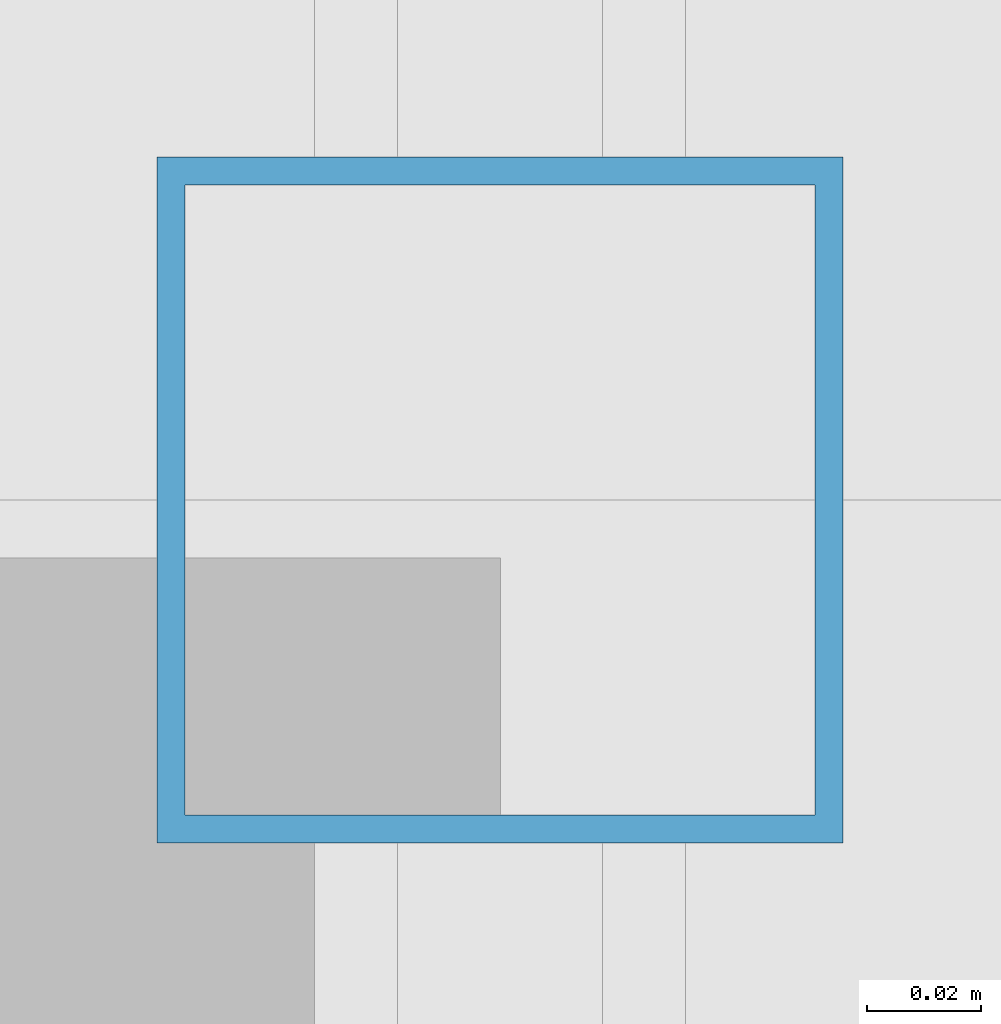
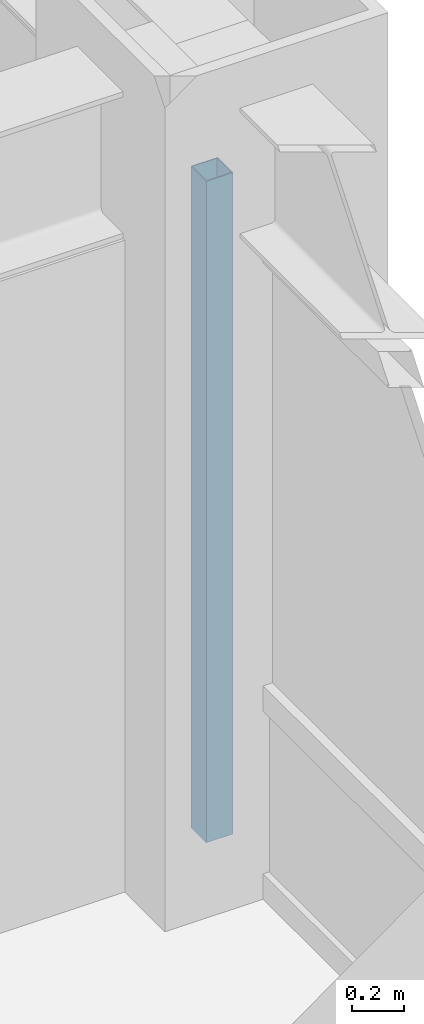
# One storey, part 10 of 25: 1 member, 1 element without a shape of its own.
"""IFC4 building model written with IfcOpenShell, lengths in metres."""

from ifc_helpers import new_model, si_unit, direction, frame, origin, origin_2d, place, context, subcontext, project, spatial, hollow_rectangle, extrude, source, transform, mapped, material, material_profile, profile_set, type_object, element, aggregate, save


model = new_model("IFC4")

# Units and contexts
model_context = context("Model", 3, precision=1e-05, world=origin(), true_north=direction((0.0, 1.0)))
body_context = subcontext(model_context, "Body", "Model", "MODEL_VIEW")
ifc_project = project(units=[si_unit("LENGTHUNIT", "METRE"), si_unit("AREAUNIT", "SQUARE_METRE"), si_unit("VOLUMEUNIT", "CUBIC_METRE"), si_unit("PLANEANGLEUNIT", "RADIAN"), si_unit("MASSUNIT", "GRAM", prefix="KILO")], contexts=[model_context])

# Site, building, storey
site_placement = place(None, origin())
site = spatial("IfcSite", under=ifc_project, at=site_placement, CompositionType="ELEMENT")
building_placement = place(site_placement, origin())
building = spatial("IfcBuilding", under=site, at=building_placement, Name="Khorayat Bourse Tower", CompositionType="ELEMENT")
storey_placement = place(building_placement, frame((0.0, 0.0, 255.10009765625)))
storey = spatial("IfcBuildingStorey", under=building, at=storey_placement, Name="L60", CompositionType="ELEMENT", Elevation=255.10009765625)

# Curtain wall, member
ifc_material = material(Name="Aluminium EN AW-6063 T6", Category="aluminium")
curtain_wall_type = type_object("IfcCurtainWallType", Name="CW-SYS-03", PredefinedType="NOTDEFINED", material=ifc_material)
curtain_wall_placement = place(storey_placement, origin())
curtain_wall = element("IfcCurtainWall", 1, at=curtain_wall_placement, inside=storey, type_object=curtain_wall_type, Name="L60 Curtain Wall CW-L60-E1", PredefinedType="NOTDEFINED")
ifc_material_profile = material_profile(ifc_material, hollow_rectangle(XDim=0.1201171875, YDim=0.1201171875, WallThickness=0.0048828125, at=origin_2d()), Name="ALU 120x120x5")
ifc_profile_set = profile_set([ifc_material_profile], Name="Aluminium EN AW-6063 T6")
member_type = type_object("IfcMemberType", Name="CWM-VERT-120", PredefinedType="MULLION", material=ifc_profile_set)
shared_shape = source(origin(), body_context, "Body", "SweptSolid", [
    extrude(hollow_rectangle(XDim=0.1201171875, YDim=0.1201171875, WallThickness=0.0048828125, at=origin_2d()), origin(), (0.0, 0.0, 1.0), 3.1298828125),
])
member_placement = place(storey_placement, frame((30.0, 0.0, 0.0), z_axis=(0.0, 0.0, 1.0), x_axis=(-1.0, 0.0, 0.0)))
member = element("IfcMember", 2, at=member_placement, type_object=member_type, Name="CW-L60-E1 Vertical Mullion 2", PredefinedType="MULLION", context=body_context, shape_type="MappedRepresentation", body=[
    mapped(shared_shape, transform((0.0, 0.0, 0.0), scale=1.0)),
])
aggregate(curtain_wall, [member])

save(model, "model.ifc")
